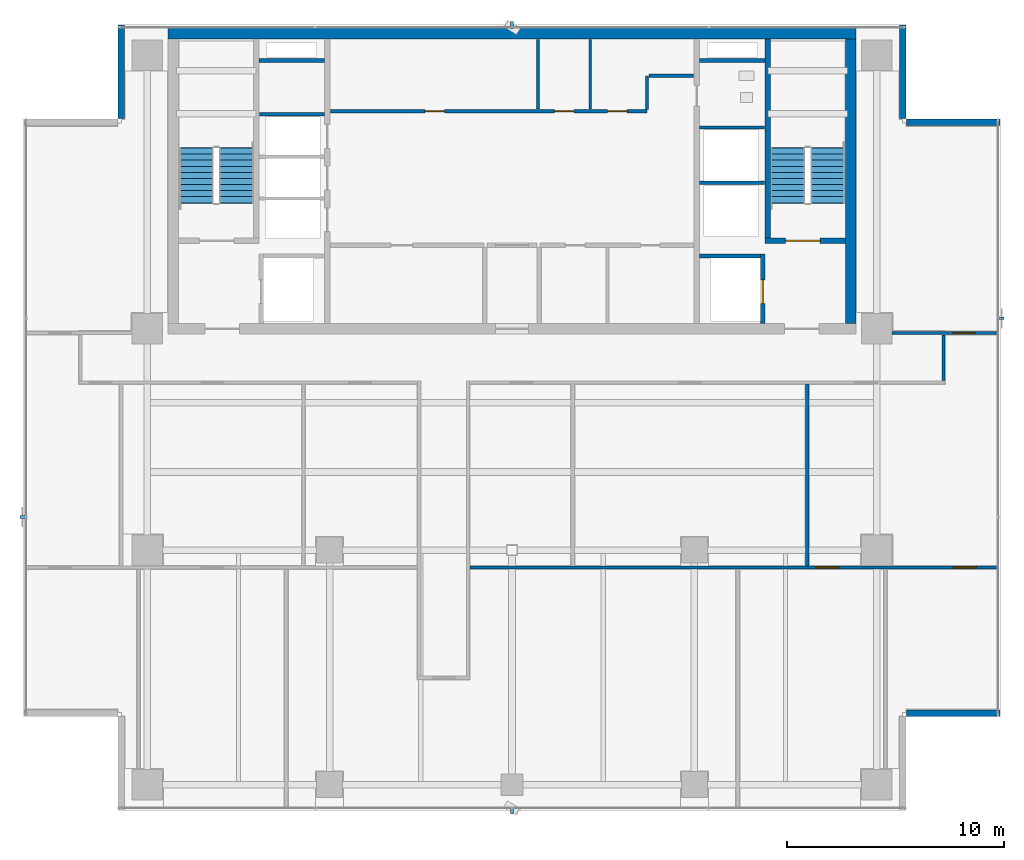
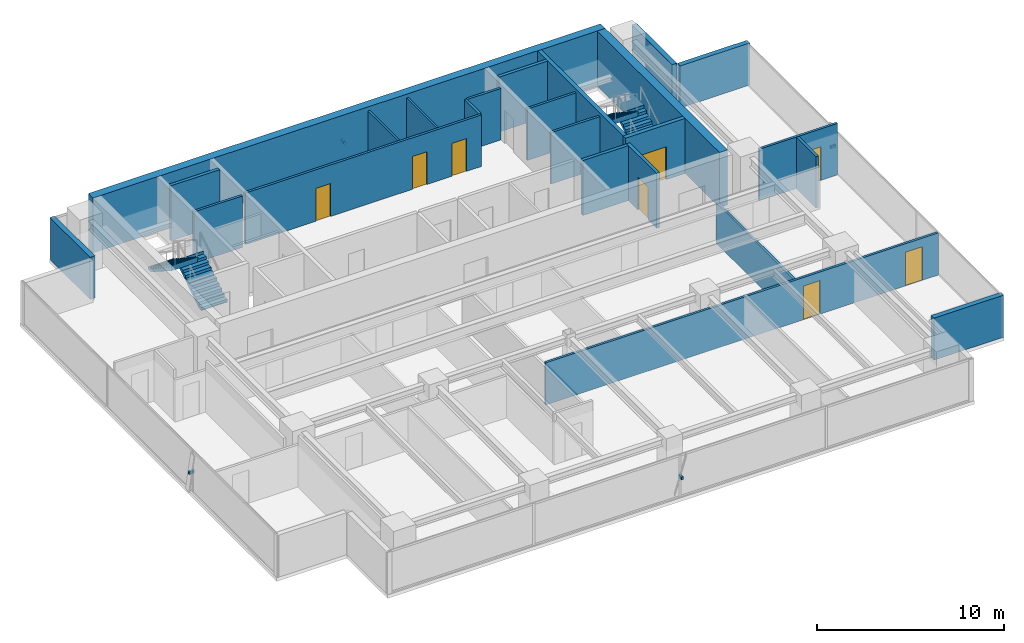
# One storey, part 21 of 25: 24 walls, 8 doors, 4 discrete accessories, 4 stair flights, 8 openings, 2 elements without a shape of their own.
"""IFC4 building model written with IfcOpenShell, lengths in metres."""

from ifc_helpers import new_model, si_unit, direction, frame, frame_2d, origin, origin_2d, place, context, subcontext, project, spatial, polyline, rectangle, outline, extrude, source, transform, mapped, material, layer, layer_set, material_profile, profile_set, type_object, element, fill, aggregate, save


model = new_model("IFC4")

# Units and contexts
model_context = context("Model", 3, precision=1e-05, world=origin(), true_north=direction((0.0, 1.0)))
body_context = subcontext(model_context, "Body", "Model", "MODEL_VIEW")
ifc_project = project(units=[si_unit("LENGTHUNIT", "METRE"), si_unit("AREAUNIT", "SQUARE_METRE"), si_unit("VOLUMEUNIT", "CUBIC_METRE"), si_unit("PLANEANGLEUNIT", "RADIAN"), si_unit("MASSUNIT", "GRAM", prefix="KILO")], contexts=[model_context])

# Site, building, storey
site_placement = place(None, origin())
site = spatial("IfcSite", under=ifc_project, at=site_placement, CompositionType="ELEMENT")
building_placement = place(site_placement, origin())
building = spatial("IfcBuilding", under=site, at=building_placement, Name="Sumidabori Civic Tower", CompositionType="ELEMENT")
storey_placement = place(building_placement, frame((0.0, 0.0, 246.800048828125)))
storey = spatial("IfcBuildingStorey", under=building, at=storey_placement, Name="L64", CompositionType="ELEMENT", Elevation=246.800048828125)

# Walls
ifc_material_1 = material(Name="Concrete C50/60", Category="concrete")
ifc_layer_1 = layer(ifc_material_1, 0.199951171875, Name="Concrete C50/60")
ifc_layer_set_1 = layer_set([ifc_layer_1], Name="Concrete C50/60")
wall_type_1 = type_object("IfcWallType", Name="WL-SHAFT-200", PredefinedType="SHEAR", material=ifc_layer_set_1)
shared_shape_1 = source(origin(), body_context, "Body", "SweptSolid", [
    extrude(rectangle(XDim=2.824951171875, YDim=0.199951171875, at=frame_2d((1.41259765625, 0.0))), origin(), (0.0, 0.0, 1.0), 3.599853515625),
])
wall_1_placement = place(storey_placement, frame((8.625, 13.550048828125, 0.0), z_axis=(0.0, 0.0, 1.0), x_axis=(1.0, 0.0, 0.0)))
element("IfcWall", 1, at=wall_1_placement, inside=storey, type_object=wall_type_1, Name="Core Shear Wall L64 EL2-N", PredefinedType="SHEAR", context=body_context, shape_type="MappedRepresentation", body=[
    mapped(shared_shape_1, transform((0.0, 0.0, 0.0), x_axis=(1.0, 0.0, 0.0), y_axis=(0.0, 1.0, 0.0), z_axis=(0.0, 0.0, 1.0), scale=1.0)),
])
shared_shape_2 = source(origin(), body_context, "Body", "SweptSolid", [
    extrude(rectangle(XDim=3.02001953125, YDim=0.199951171875, at=frame_2d((1.510009765625, 0.0))), origin(), (0.0, 0.0, 1.0), 3.599853515625),
])
for number, where, z_axis, x_axis, name in (
    (2, (-11.64501953125, 22.550048828125, 0.0), (0.0, 0.0, 1.0), (1.0, 0.0, 0.0), "Core Shear Wall L64 RIS1-S"),
    (3, (8.625, 22.550048828125, 0.0), (0.0, 0.0, 1.0), (1.0, 0.0, 0.0), "Core Shear Wall L64 RIS2-S"),
):
    element("IfcWall", number, at=place(storey_placement, frame(where, z_axis=z_axis, x_axis=x_axis)), inside=storey, type_object=wall_type_1, Name=name, PredefinedType="SHEAR", context=body_context, shape_type="MappedRepresentation", body=[
        mapped(shared_shape_2, transform((0.0, 0.0, 0.0), x_axis=(1.0, 0.0, 0.0), y_axis=(0.0, 1.0, 0.0), z_axis=(0.0, 0.0, 1.0), scale=1.0)),
    ])
ifc_layer_2 = layer(ifc_material_1, 0.5, Name="Concrete C50/60")
ifc_layer_set_2 = layer_set([ifc_layer_2], Name="Concrete C50/60")
wall_type_2 = type_object("IfcWallType", Name="WL-CORE-500", PredefinedType="SHEAR", material=ifc_layer_set_2)
shared_shape_3 = source(origin(), body_context, "Body", "SweptSolid", [
    extrude(rectangle(XDim=31.7001953125, YDim=0.5, at=frame_2d((15.85009765625, 0.0))), origin(), (0.0, 0.0, 1.0), 3.599853515625),
])
wall_2_placement = place(storey_placement, frame((-15.85009765625, 23.800048828125, 0.0), z_axis=(0.0, 0.0, 1.0), x_axis=(1.0, 0.0, 0.0)))
element("IfcWall", 4, at=wall_2_placement, inside=storey, type_object=wall_type_2, Name="Core Shear Wall L64 N", PredefinedType="SHEAR", context=body_context, shape_type="MappedRepresentation", body=[
    mapped(shared_shape_3, transform((0.0, 0.0, 0.0), x_axis=(1.0, 0.0, 0.0), y_axis=(0.0, 1.0, 0.0), z_axis=(0.0, 0.0, 1.0), scale=1.0)),
])
shared_shape_4 = source(origin(), body_context, "Body", "SweptSolid", [
    extrude(rectangle(XDim=13.10009765625, YDim=0.5, at=frame_2d((6.550048828125, 0.0))), origin(), (0.0, 0.0, 1.0), 3.599853515625),
])
wall_3_placement = place(storey_placement, frame((15.60009765625, 10.449951171875, 0.0), z_axis=(0.0, 0.0, 1.0), x_axis=(0.0, 1.0, 0.0)))
element("IfcWall", 5, at=wall_3_placement, inside=storey, type_object=wall_type_2, Name="Core Shear Wall L64 E", PredefinedType="SHEAR", context=body_context, shape_type="MappedRepresentation", body=[
    mapped(shared_shape_4, transform((0.0, 0.0, 0.0), x_axis=(1.0, 0.0, 0.0), y_axis=(0.0, 1.0, 0.0), z_axis=(0.0, 0.0, 1.0), scale=1.0)),
])

# Wall, opening, door
ifc_layer_3 = layer(ifc_material_1, 0.25, Name="Concrete C50/60")
ifc_layer_set_3 = layer_set([ifc_layer_3], Name="Concrete C50/60")
wall_type_3 = type_object("IfcWallType", Name="WL-SHAFT-250", PredefinedType="SHEAR", material=ifc_layer_set_3)
shared_shape_5 = source(origin(), body_context, "Body", "SweptSolid", [
    extrude(rectangle(XDim=3.705078125, YDim=0.25, at=frame_2d((1.8525390625, 0.0))), origin(), (0.0, 0.0, 1.0), 3.599853515625),
])
wall_4_placement = place(storey_placement, frame((11.64501953125, 14.25, 0.0), z_axis=(0.0, 0.0, 1.0), x_axis=(1.0, 0.0, 0.0)))
wall_4 = element("IfcWall", 6, at=wall_4_placement, inside=storey, type_object=wall_type_3, Name="Core Shear Wall L64 ST2-S", PredefinedType="SHEAR", context=body_context, shape_type="MappedRepresentation", body=[
    mapped(shared_shape_5, transform((0.0, 0.0, 0.0), x_axis=(1.0, 0.0, 0.0), y_axis=(0.0, 1.0, 0.0), z_axis=(0.0, 0.0, 1.0), scale=1.0)),
])
opening_1_placement = place(wall_4_placement, frame((0.949951171875, 0.0, 0.0)))
opening_1 = element("IfcOpeningElement", 7, at=opening_1_placement, cuts=wall_4, Name="Opening DR-FD4", PredefinedType="OPENING", context=body_context, shape_type="SweptSolid", body=[
    extrude(rectangle(XDim=1.60009765625, YDim=2.14990234375, at=frame_2d((0.800048828125, 1.074951171875))), frame((0.0, 0.136962890625, 0.0), z_axis=(0.0, -1.0, 0.0), x_axis=(1.0, 0.0, 0.0)), (0.0, 0.0, 1.0), 0.27392578125),
])
ifc_material_2 = material(Name="Steel SN490", Category="steel")
door_type_1 = type_object("IfcDoorType", Name="DR-FD4", OperationType="DOUBLE_DOOR_SINGLE_SWING", PredefinedType="DOOR", material=ifc_material_2)
shared_shape_6 = source(origin(), body_context, "Body", "SweptSolid", [
    extrude(rectangle(XDim=1.60009765625, YDim=2.14990234375, at=frame_2d((0.800048828125, 1.074951171875))), frame((0.0, 0.02490234375, 0.0), z_axis=(0.0, -1.0, 0.0), x_axis=(1.0, 0.0, 0.0)), (0.0, 0.0, 1.0), 0.050048828125),
])
door_1_placement = place(opening_1_placement, origin())
door_1 = element("IfcDoor", 8, at=door_1_placement, inside=storey, type_object=door_type_1, Name="Door DR:L64:ST2", OperationType="DOUBLE_DOOR_SINGLE_SWING", OverallHeight=2.14990234375, OverallWidth=1.60009765625, PredefinedType="DOOR", context=body_context, shape_type="MappedRepresentation", body=[
    mapped(shared_shape_6, transform((0.0, 0.0, 0.0), x_axis=(1.0, 0.0, 0.0), y_axis=(0.0, 1.0, 0.0), z_axis=(0.0, 0.0, 1.0), scale=1.0)),
])
fill(opening_1, door_1)

# Wall
shared_shape_7 = source(origin(), body_context, "Body", "SweptSolid", [
    extrude(rectangle(XDim=9.175048828125, YDim=0.25, at=frame_2d((4.58740234375, 0.0))), origin(), (0.0, 0.0, 1.0), 3.599853515625),
])
wall_5_placement = place(storey_placement, frame((11.77001953125, 14.375, 0.0), z_axis=(0.0, 0.0, 1.0), x_axis=(0.0, 1.0, 0.0)))
element("IfcWall", 9, at=wall_5_placement, inside=storey, type_object=wall_type_3, Name="Core Shear Wall L64 ST2-W", PredefinedType="SHEAR", context=body_context, shape_type="MappedRepresentation", body=[
    mapped(shared_shape_7, transform((0.0, 0.0, 0.0), x_axis=(1.0, 0.0, 0.0), y_axis=(0.0, 1.0, 0.0), z_axis=(0.0, 0.0, 1.0), scale=1.0)),
])

# Wall, opening, door
shared_shape_8 = source(origin(), body_context, "Body", "SweptSolid", [
    extrude(rectangle(XDim=3.199951171875, YDim=0.199951171875, at=frame_2d((1.60009765625, 0.0))), origin(), (0.0, 0.0, 1.0), 3.599853515625),
])
wall_6_placement = place(storey_placement, frame((11.550048828125, 10.449951171875, 0.0), z_axis=(0.0, 0.0, 1.0), x_axis=(0.0, 1.0, 0.0)))
wall_6 = element("IfcWall", 10, at=wall_6_placement, inside=storey, type_object=wall_type_1, Name="Core Shear Wall L64 EL2-E", PredefinedType="SHEAR", context=body_context, shape_type="MappedRepresentation", body=[
    mapped(shared_shape_8, transform((0.0, 0.0, 0.0), x_axis=(1.0, 0.0, 0.0), y_axis=(0.0, 1.0, 0.0), z_axis=(0.0, 0.0, 1.0), scale=1.0)),
])
opening_2_placement = place(wall_6_placement, frame((0.89990234375, 0.0, 0.0)))
opening_2 = element("IfcOpeningElement", 11, at=opening_2_placement, cuts=wall_6, Name="Opening LD-2", PredefinedType="OPENING", context=body_context, shape_type="SweptSolid", body=[
    extrude(rectangle(XDim=1.10009765625, YDim=2.14990234375, at=frame_2d((0.550048828125, 1.074951171875))), frame((0.0, 0.11181640625, 0.0), z_axis=(0.0, -1.0, 0.0), x_axis=(1.0, 0.0, 0.0)), (0.0, 0.0, 1.0), 0.223876953125),
])
ifc_material_3 = material(Name="Stainless Steel Hairline Finish", Category="steel")
door_type_2 = type_object("IfcDoorType", Name="DR-LD2", OperationType="DOUBLE_DOOR_SLIDING", PredefinedType="DOOR", material=ifc_material_3)
shared_shape_9 = source(origin(), body_context, "Body", "SweptSolid", [
    extrude(rectangle(XDim=1.10009765625, YDim=2.14990234375, at=frame_2d((0.550048828125, 1.074951171875))), frame((0.0, 0.02490234375, 0.0), z_axis=(0.0, -1.0, 0.0), x_axis=(1.0, 0.0, 0.0)), (0.0, 0.0, 1.0), 0.050048828125),
])
door_2_placement = place(opening_2_placement, origin())
door_2 = element("IfcDoor", 12, at=door_2_placement, inside=storey, type_object=door_type_2, Name="Door DR:L64:LD-EL2", OperationType="DOUBLE_DOOR_SLIDING", OverallHeight=2.14990234375, OverallWidth=1.10009765625, PredefinedType="DOOR", context=body_context, shape_type="MappedRepresentation", body=[
    mapped(shared_shape_9, transform((0.0, 0.0, 0.0), x_axis=(1.0, 0.0, 0.0), y_axis=(0.0, 1.0, 0.0), z_axis=(0.0, 0.0, 1.0), scale=1.0)),
])
fill(opening_2, door_2)

# Walls
ifc_material_4 = material(Name="Precast concrete C40/50", Category="concrete")
ifc_layer_4 = layer(ifc_material_4, 0.300048828125, Name="Precast concrete C40/50")
ifc_layer_set_4 = layer_set([ifc_layer_4], Name="Precast concrete C40/50")
wall_type_4 = type_object("IfcWallType", Name="WL-EXT-POD300", PredefinedType="STANDARD", material=ifc_layer_set_4)
shared_shape_10 = source(origin(), body_context, "Body", "SweptSolid", [
    extrude(rectangle(XDim=4.31005859375, YDim=0.300048828125, at=frame_2d((2.155029296875, 0.0))), origin(), (0.0, 0.0, 1.0), 2.75),
])
for number, where, z_axis, x_axis, name in (
    (13, (18.169921875, -7.5, 0.0), (0.0, 0.0, 1.0), (1.0, 0.0, 0.0), "Notched Corner Spandrel Band L64-03"),
    (14, (22.47998046875, 19.699951171875, 0.0), (0.0, 0.0, 1.0), (-1.0, 0.0, 0.0), "Notched Corner Spandrel Band L64-05"),
):
    element("IfcWall", number, at=place(storey_placement, frame(where, z_axis=z_axis, x_axis=x_axis)), inside=storey, type_object=wall_type_4, Name=name, PredefinedType="STANDARD", context=body_context, shape_type="MappedRepresentation", body=[
        mapped(shared_shape_10, transform((0.0, 0.0, 0.0), x_axis=(1.0, 0.0, 0.0), y_axis=(0.0, 1.0, 0.0), z_axis=(0.0, 0.0, 1.0), scale=1.0)),
    ])
shared_shape_11 = source(origin(), body_context, "Body", "SweptSolid", [
    extrude(rectangle(XDim=4.309814453125, YDim=0.300048828125, at=frame_2d((2.15478515625, 0.0))), origin(), (0.0, 0.0, 1.0), 2.75),
])
for number, where, z_axis, x_axis, name in (
    (15, (18.0, 19.8701171875, 0.0), (0.0, 0.0, 1.0), (0.0, 1.0, 0.0), "Notched Corner Spandrel Band L64-06"),
    (16, (-18.0, 24.179931640625, 0.0), (0.0, 0.0, 1.0), (0.0, -1.0, 0.0), "Notched Corner Spandrel Band L64-08"),
):
    element("IfcWall", number, at=place(storey_placement, frame(where, z_axis=z_axis, x_axis=x_axis)), inside=storey, type_object=wall_type_4, Name=name, PredefinedType="STANDARD", context=body_context, shape_type="MappedRepresentation", body=[
        mapped(shared_shape_11, transform((0.0, 0.0, 0.0), x_axis=(1.0, 0.0, 0.0), y_axis=(0.0, 1.0, 0.0), z_axis=(0.0, 0.0, 1.0), scale=1.0)),
    ])
ifc_material_5 = material(Name="Gypsum Plasterboard Acoustic Partition")
ifc_layer_5 = layer(ifc_material_5, 0.14990234375, Name="Gypsum Plasterboard Acoustic Partition")
ifc_layer_set_5 = layer_set([ifc_layer_5], Name="Gypsum Plasterboard Acoustic Partition")
wall_type_5 = type_object("IfcWallType", Name="WL-PART-150", PredefinedType="PARTITIONING", material=ifc_layer_set_5)
shared_shape_12 = source(origin(), body_context, "Body", "SweptSolid", [
    extrude(rectangle(XDim=3.010009765625, YDim=0.14990234375, at=frame_2d((1.5048828125, 0.0))), origin(), (0.0, 0.0, 1.0), 3.369873046875),
])
for number, where, z_axis, x_axis, name in (
    (17, (-11.639892578125, 20.080078125, 0.0), (0.0, 0.0, 1.0), (1.0, 0.0, 0.0), "Interior Partition WL:L64:DIV-PLH3"),
    (18, (8.6298828125, 16.919921875, 0.0), (0.0, 0.0, 1.0), (1.0, 0.0, 0.0), "Interior Partition WL:L64:DIV-OBS1"),
    (19, (8.6298828125, 19.469970703125, 0.0), (0.0, 0.0, 1.0), (1.0, 0.0, 0.0), "Interior Partition WL:L64:DIV-OBS2"),
):
    element("IfcWall", number, at=place(storey_placement, frame(where, z_axis=z_axis, x_axis=x_axis)), inside=storey, type_object=wall_type_5, Name=name, PredefinedType="PARTITIONING", context=body_context, shape_type="MappedRepresentation", body=[
        mapped(shared_shape_12, transform((0.0, 0.0, 0.0), x_axis=(1.0, 0.0, 0.0), y_axis=(0.0, 1.0, 0.0), z_axis=(0.0, 0.0, 1.0), scale=1.0)),
    ])

# Wall, openings, doors
shared_shape_13 = source(origin(), body_context, "Body", "SweptSolid", [
    extrude(rectangle(XDim=14.590087890625, YDim=0.14990234375, at=frame_2d((7.294921875, 0.0))), origin(), (0.0, 0.0, 1.0), 3.369873046875),
])
wall_7_placement = place(storey_placement, frame((-8.3701171875, 20.219970703125, 0.0), z_axis=(0.0, 0.0, 1.0), x_axis=(1.0, 0.0, 0.0)))
wall_7 = element("IfcWall", 20, at=wall_7_placement, inside=storey, type_object=wall_type_5, Name="Interior Partition WL:L64:CBAND-M", PredefinedType="PARTITIONING", context=body_context, shape_type="MappedRepresentation", body=[
    mapped(shared_shape_13, transform((0.0, 0.0, 0.0), x_axis=(1.0, 0.0, 0.0), y_axis=(0.0, 1.0, 0.0), z_axis=(0.0, 0.0, 1.0), scale=1.0)),
])
opening_3_placement = place(wall_7_placement, frame((4.360107421875, 0.0, 0.0)))
opening_3 = element("IfcOpeningElement", 21, at=opening_3_placement, cuts=wall_7, Name="Opening DR-1", PredefinedType="OPENING", context=body_context, shape_type="SweptSolid", body=[
    extrude(rectangle(XDim=0.89990234375, YDim=2.14990234375, at=frame_2d((0.449951171875, 1.074951171875))), frame((0.0, 0.0869140625, 0.0), z_axis=(0.0, -1.0, 0.0), x_axis=(1.0, 0.0, 0.0)), (0.0, 0.0, 1.0), 0.173828125),
])
opening_4_placement = place(wall_7_placement, frame((10.320068359375, 0.0, 0.0)))
opening_4 = element("IfcOpeningElement", 22, at=opening_4_placement, cuts=wall_7, Name="Opening DR-1", PredefinedType="OPENING", context=body_context, shape_type="SweptSolid", body=[
    extrude(rectangle(XDim=0.89990234375, YDim=2.14990234375, at=frame_2d((0.449951171875, 1.074951171875))), frame((0.0, 0.0869140625, 0.0), z_axis=(0.0, -1.0, 0.0), x_axis=(1.0, 0.0, 0.0)), (0.0, 0.0, 1.0), 0.173828125),
])
opening_5_placement = place(wall_7_placement, frame((12.77001953125, 0.0, 0.0)))
opening_5 = element("IfcOpeningElement", 23, at=opening_5_placement, cuts=wall_7, Name="Opening DR-1", PredefinedType="OPENING", context=body_context, shape_type="SweptSolid", body=[
    extrude(rectangle(XDim=0.89990234375, YDim=2.14990234375, at=frame_2d((0.449951171875, 1.074951171875))), frame((0.0, 0.0869140625, 0.0), z_axis=(0.0, -1.0, 0.0), x_axis=(1.0, 0.0, 0.0)), (0.0, 0.0, 1.0), 0.173828125),
])
ifc_material_6 = material(Name="Japanese Hinoki Timber", Category="wood")
door_type_3 = type_object("IfcDoorType", Name="DR-INT-900", OperationType="NOTDEFINED", PredefinedType="DOOR", material=ifc_material_6)
shared_shape_14 = source(origin(), body_context, "Body", "SweptSolid", [
    extrude(rectangle(XDim=0.89990234375, YDim=2.14990234375, at=frame_2d((0.449951171875, 1.074951171875))), frame((0.0, 0.02490234375, 0.0), z_axis=(0.0, -1.0, 0.0), x_axis=(1.0, 0.0, 0.0)), (0.0, 0.0, 1.0), 0.050048828125),
])
door_3_placement = place(opening_3_placement, origin())
door_3 = element("IfcDoor", 24, at=door_3_placement, inside=storey, type_object=door_type_3, Name="Door DR:L64:CB-1", OperationType="SINGLE_SWING_LEFT", OverallHeight=2.14990234375, OverallWidth=0.89990234375, PredefinedType="DOOR", context=body_context, shape_type="MappedRepresentation", body=[
    mapped(shared_shape_14, transform((0.0, 0.0, 0.0), x_axis=(1.0, 0.0, 0.0), y_axis=(0.0, 1.0, 0.0), z_axis=(0.0, 0.0, 1.0), scale=1.0)),
])
fill(opening_3, door_3)
door_4_placement = place(opening_4_placement, origin())
door_4 = element("IfcDoor", 25, at=door_4_placement, inside=storey, type_object=door_type_3, Name="Door DR:L64:CB-2", OperationType="SINGLE_SWING_RIGHT", OverallHeight=2.14990234375, OverallWidth=0.89990234375, PredefinedType="DOOR", context=body_context, shape_type="MappedRepresentation", body=[
    mapped(shared_shape_14, transform((0.0, 0.0, 0.0), x_axis=(1.0, 0.0, 0.0), y_axis=(0.0, 1.0, 0.0), z_axis=(0.0, 0.0, 1.0), scale=1.0)),
])
fill(opening_4, door_4)
door_5_placement = place(opening_5_placement, origin())
door_5 = element("IfcDoor", 26, at=door_5_placement, inside=storey, type_object=door_type_3, Name="Door DR:L64:CB-3", OperationType="SINGLE_SWING_LEFT", OverallHeight=2.14990234375, OverallWidth=0.89990234375, PredefinedType="DOOR", context=body_context, shape_type="MappedRepresentation", body=[
    mapped(shared_shape_14, transform((0.0, 0.0, 0.0), x_axis=(1.0, 0.0, 0.0), y_axis=(0.0, 1.0, 0.0), z_axis=(0.0, 0.0, 1.0), scale=1.0)),
])
fill(opening_5, door_5)

# Walls
shared_shape_15 = source(origin(), body_context, "Body", "SweptSolid", [
    extrude(rectangle(XDim=1.550048828125, YDim=0.14990234375, at=frame_2d((0.77490234375, 0.0))), origin(), (0.0, 0.0, 1.0), 3.369873046875),
])
wall_8_placement = place(storey_placement, frame((6.219970703125, 20.300048828125, 0.0), z_axis=(0.0, 0.0, 1.0), x_axis=(0.0, 1.0, 0.0)))
element("IfcWall", 27, at=wall_8_placement, inside=storey, type_object=wall_type_5, Name="Interior Partition WL:L64:CBAND-ME1", PredefinedType="PARTITIONING", context=body_context, shape_type="MappedRepresentation", body=[
    mapped(shared_shape_15, transform((0.0, 0.0, 0.0), x_axis=(1.0, 0.0, 0.0), y_axis=(0.0, 1.0, 0.0), z_axis=(0.0, 0.0, 1.0), scale=1.0)),
])
shared_shape_16 = source(origin(), body_context, "Body", "SweptSolid", [
    extrude(rectangle(XDim=2.070068359375, YDim=0.14990234375, at=frame_2d((1.03515625, 0.0))), origin(), (0.0, 0.0, 1.0), 3.369873046875),
])
wall_9_placement = place(storey_placement, frame((6.300048828125, 21.85009765625, 0.0), z_axis=(0.0, 0.0, 1.0), x_axis=(1.0, 0.0, 0.0)))
element("IfcWall", 28, at=wall_9_placement, inside=storey, type_object=wall_type_5, Name="Interior Partition WL:L64:CBAND-ME2", PredefinedType="PARTITIONING", context=body_context, shape_type="MappedRepresentation", body=[
    mapped(shared_shape_16, transform((0.0, 0.0, 0.0), x_axis=(1.0, 0.0, 0.0), y_axis=(0.0, 1.0, 0.0), z_axis=(0.0, 0.0, 1.0), scale=1.0)),
])
ifc_layer_6 = layer(ifc_material_5, 0.1201171875, Name="Gypsum Plasterboard Acoustic Partition")
ifc_layer_set_6 = layer_set([ifc_layer_6], Name="Gypsum Plasterboard Acoustic Partition")
wall_type_6 = type_object("IfcWallType", Name="WL-PART-120", PredefinedType="PARTITIONING", material=ifc_layer_set_6)
shared_shape_17 = source(origin(), body_context, "Body", "SweptSolid", [
    extrude(rectangle(XDim=3.18994140625, YDim=0.1201171875, at=frame_2d((1.594970703125, 0.0))), origin(), (0.0, 0.0, 1.0), 3.369873046875),
])
for number, where, z_axis, x_axis, name in (
    (29, (1.199951171875, 20.320068359375, 0.0), (0.0, 0.0, 1.0), (0.0, 1.0, 0.0), "Interior Partition WL:L64:LV8-S1"),
    (30, (3.60009765625, 20.320068359375, 0.0), (0.0, 0.0, 1.0), (0.0, 1.0, 0.0), "Interior Partition WL:L64:LV8-S2"),
):
    element("IfcWall", number, at=place(storey_placement, frame(where, z_axis=z_axis, x_axis=x_axis)), inside=storey, type_object=wall_type_6, Name=name, PredefinedType="PARTITIONING", context=body_context, shape_type="MappedRepresentation", body=[
        mapped(shared_shape_17, transform((0.0, 0.0, 0.0), x_axis=(1.0, 0.0, 0.0), y_axis=(0.0, 1.0, 0.0), z_axis=(0.0, 0.0, 1.0), scale=1.0)),
    ])
shared_shape_18 = source(origin(), body_context, "Body", "SweptSolid", [
    extrude(rectangle(XDim=8.364990234375, YDim=0.14990234375, at=frame_2d((4.1826171875, 0.0))), origin(), (0.0, 0.0, 1.0), 2.655029296875),
])
wall_10_placement = place(storey_placement, frame((13.60009765625, -0.719970703125, 0.0), z_axis=(0.0, 0.0, 1.0), x_axis=(0.0, 1.0, 0.0)))
element("IfcWall", 31, at=wall_10_placement, inside=storey, type_object=wall_type_5, Name="Interior Partition WL:L64:VX-N4", PredefinedType="PARTITIONING", context=body_context, shape_type="MappedRepresentation", body=[
    mapped(shared_shape_18, transform((0.0, 0.0, 0.0), x_axis=(1.0, 0.0, 0.0), y_axis=(0.0, 1.0, 0.0), z_axis=(0.0, 0.0, 1.0), scale=1.0)),
])

# Wall, opening, door
shared_shape_19 = source(origin(), body_context, "Body", "SweptSolid", [
    extrude(rectangle(XDim=4.840087890625, YDim=0.14990234375, at=frame_2d((2.419921875, 0.0))), origin(), (0.0, 0.0, 1.0), 3.369873046875),
])
wall_11_placement = place(storey_placement, frame((17.510009765625, 10.0, 0.0), z_axis=(0.0, 0.0, 1.0), x_axis=(1.0, 0.0, 0.0)))
wall_11 = element("IfcWall", 32, at=wall_11_placement, inside=storey, type_object=wall_type_5, Name="Interior Partition WL:L64:FLK-NE", PredefinedType="PARTITIONING", context=body_context, shape_type="MappedRepresentation", body=[
    mapped(shared_shape_19, transform((0.0, 0.0, 0.0), x_axis=(1.0, 0.0, 0.0), y_axis=(0.0, 1.0, 0.0), z_axis=(0.0, 0.0, 1.0), scale=1.0)),
])
opening_6_placement = place(wall_11_placement, frame((2.780029296875, 0.0, 0.0)))
opening_6 = element("IfcOpeningElement", 33, at=opening_6_placement, cuts=wall_11, Name="Opening DR-4", PredefinedType="OPENING", context=body_context, shape_type="SweptSolid", body=[
    extrude(rectangle(XDim=1.0400390625, YDim=2.199951171875, at=frame_2d((0.52001953125, 1.10009765625))), frame((0.0, 0.0869140625, 0.0), z_axis=(0.0, -1.0, 0.0), x_axis=(1.0, 0.0, 0.0)), (0.0, 0.0, 1.0), 0.173828125),
])
door_type_4 = type_object("IfcDoorType", Name="DR-INT-1040", OperationType="NOTDEFINED", PredefinedType="DOOR", material=ifc_material_6)
shared_shape_20 = source(origin(), body_context, "Body", "SweptSolid", [
    extrude(rectangle(XDim=1.0400390625, YDim=2.199951171875, at=frame_2d((0.52001953125, 1.10009765625))), frame((0.0, 0.02490234375, 0.0), z_axis=(0.0, -1.0, 0.0), x_axis=(1.0, 0.0, 0.0)), (0.0, 0.0, 1.0), 0.050048828125),
])
door_6_placement = place(opening_6_placement, origin())
door_6 = element("IfcDoor", 34, at=door_6_placement, inside=storey, type_object=door_type_4, Name="Door DR:L64:D09", OperationType="SINGLE_SWING_LEFT", OverallHeight=2.199951171875, OverallWidth=1.0400390625, PredefinedType="DOOR", context=body_context, shape_type="MappedRepresentation", body=[
    mapped(shared_shape_20, transform((0.0, 0.0, 0.0), x_axis=(1.0, 0.0, 0.0), y_axis=(0.0, 1.0, 0.0), z_axis=(0.0, 0.0, 1.0), scale=1.0)),
])
fill(opening_6, door_6)

# Wall
shared_shape_21 = source(origin(), body_context, "Body", "SweptSolid", [
    extrude(rectangle(XDim=2.114990234375, YDim=0.14990234375, at=frame_2d((1.0576171875, 0.0))), origin(), (0.0, 0.0, 1.0), 3.369873046875),
])
wall_12_placement = place(storey_placement, frame((19.875, 7.804931640625, 0.0), z_axis=(0.0, 0.0, 1.0), x_axis=(0.0, 1.0, 0.0)))
element("IfcWall", 35, at=wall_12_placement, inside=storey, type_object=wall_type_5, Name="Interior Partition WL:L64:CORR-VNE", PredefinedType="PARTITIONING", context=body_context, shape_type="MappedRepresentation", body=[
    mapped(shared_shape_21, transform((0.0, 0.0, 0.0), x_axis=(1.0, 0.0, 0.0), y_axis=(0.0, 1.0, 0.0), z_axis=(0.0, 0.0, 1.0), scale=1.0)),
])

# Wall, openings, doors
shared_shape_22 = source(origin(), body_context, "Body", "SweptSolid", [
    extrude(rectangle(XDim=24.295166015625, YDim=0.14990234375, at=frame_2d((12.1474609375, 0.0))), origin(), (0.0, 0.0, 1.0), 2.7548828125),
])
wall_13_placement = place(storey_placement, frame((-1.945068359375, -0.800048828125, 0.0), z_axis=(0.0, 0.0, 1.0), x_axis=(1.0, 0.0, 0.0)))
wall_13 = element("IfcWall", 36, at=wall_13_placement, inside=storey, type_object=wall_type_5, Name="Interior Partition WL:L64:BAND-Y-2", PredefinedType="PARTITIONING", context=body_context, shape_type="MappedRepresentation", body=[
    mapped(shared_shape_22, transform((0.0, 0.0, 0.0), x_axis=(1.0, 0.0, 0.0), y_axis=(0.0, 1.0, 0.0), z_axis=(0.0, 0.0, 1.0), scale=1.0)),
])
opening_7_placement = place(wall_13_placement, frame((22.277587890625, 0.0, 0.0)))
opening_7 = element("IfcOpeningElement", 37, at=opening_7_placement, cuts=wall_13, Name="Opening DR-4", PredefinedType="OPENING", context=body_context, shape_type="SweptSolid", body=[
    extrude(rectangle(XDim=1.0400390625, YDim=2.199951171875, at=frame_2d((0.52001953125, 1.10009765625))), frame((0.0, 0.0869140625, 0.0), z_axis=(0.0, -1.0, 0.0), x_axis=(1.0, 0.0, 0.0)), (0.0, 0.0, 1.0), 0.173828125),
])
opening_8_placement = place(wall_13_placement, frame((15.945068359375, 0.0, 0.0)))
opening_8 = element("IfcOpeningElement", 38, at=opening_8_placement, cuts=wall_13, Name="Opening DR-4", PredefinedType="OPENING", context=body_context, shape_type="SweptSolid", body=[
    extrude(rectangle(XDim=1.0400390625, YDim=2.199951171875, at=frame_2d((0.52001953125, 1.10009765625))), frame((0.0, 0.0869140625, 0.0), z_axis=(0.0, -1.0, 0.0), x_axis=(1.0, 0.0, 0.0)), (0.0, 0.0, 1.0), 0.173828125),
])
door_7_placement = place(opening_7_placement, origin())
door_7 = element("IfcDoor", 39, at=door_7_placement, inside=storey, type_object=door_type_4, Name="Door DR:L64:D11", OperationType="SINGLE_SWING_LEFT", OverallHeight=2.199951171875, OverallWidth=1.0400390625, PredefinedType="DOOR", context=body_context, shape_type="MappedRepresentation", body=[
    mapped(shared_shape_20, transform((0.0, 0.0, 0.0), x_axis=(1.0, 0.0, 0.0), y_axis=(0.0, 1.0, 0.0), z_axis=(0.0, 0.0, 1.0), scale=1.0)),
])
fill(opening_7, door_7)
door_8_placement = place(opening_8_placement, origin())
door_8 = element("IfcDoor", 40, at=door_8_placement, inside=storey, type_object=door_type_4, Name="Door DR:L64:D13", OperationType="SINGLE_SWING_LEFT", OverallHeight=2.199951171875, OverallWidth=1.0400390625, PredefinedType="DOOR", context=body_context, shape_type="MappedRepresentation", body=[
    mapped(shared_shape_20, transform((0.0, 0.0, 0.0), x_axis=(1.0, 0.0, 0.0), y_axis=(0.0, 1.0, 0.0), z_axis=(0.0, 0.0, 1.0), scale=1.0)),
])
fill(opening_8, door_8)

# Stair, stair flights
ifc_material_7 = material(Name="Concrete C40/50", Category="concrete")
stair_type = type_object("IfcStairType", Name="ST-CORE-1600", PredefinedType="HALF_TURN_STAIR", material=ifc_material_7)
stair_1_placement = place(storey_placement, origin())
stair_1 = element("IfcStair", 41, at=stair_1_placement, inside=storey, type_object=stair_type, Name="L64 ST-1", PredefinedType="HALF_TURN_STAIR")
stair_flight_type = type_object("IfcStairFlightType", Name="SF-CORE-1600", PredefinedType="STRAIGHT", material=ifc_material_7)
shared_shape_23 = source(origin(), body_context, "Body", "SweptSolid", [
    extrude(outline(polyline([(-0.02490234375, 0.0), (-0.02490234375, 0.0400390625), (0.0, 0.0400390625), (0.0, 0.179931640625), (0.280029296875, 0.179931640625), (0.280029296875, 0.360107421875), (0.56005859375, 0.360107421875), (0.56005859375, 0.5400390625), (0.840087890625, 0.5400390625), (0.840087890625, 0.719970703125), (1.1201171875, 0.719970703125), (1.1201171875, 0.89990234375), (1.39990234375, 0.89990234375), (1.39990234375, 1.080078125), (1.679931640625, 1.080078125), (1.679931640625, 1.260009765625), (1.9599609375, 1.260009765625), (1.9599609375, 1.43994140625), (2.239990234375, 1.43994140625), (2.239990234375, 1.6201171875), (2.52001953125, 1.6201171875), (2.52001953125, 1.800048828125), (2.544921875, 1.800048828125), (2.544921875, 1.650146484375), (2.52001953125, 1.44189453125), (0.277099609375, 0.0), (-0.02490234375, 0.0)])), frame((0.0, 0.800048828125, 0.0), z_axis=(0.0, -1.0, 0.0), x_axis=(1.0, 0.0, 0.0)), (0.0, 0.0, 1.0), 1.60009765625),
])
stair_flight_1_placement = place(storey_placement, frame((-12.699951171875, 16.0, 0.0), z_axis=(0.0, 0.0, 1.0), x_axis=(0.0, 1.0, 0.0)))
stair_flight_1 = element("IfcStairFlight", 42, at=stair_flight_1_placement, type_object=stair_flight_type, Name="ST-1 flight 1", NumberOfRisers=10, NumberOfTreads=9, PredefinedType="STRAIGHT", RiserHeight=0.18, TreadLength=0.28, context=body_context, shape_type="MappedRepresentation", body=[
    mapped(shared_shape_23, transform((0.0, 0.0, 0.0), x_axis=(1.0, 0.0, 0.0), y_axis=(0.0, 1.0, 0.0), z_axis=(0.0, 0.0, 1.0), scale=1.0)),
])
stair_flight_2_placement = place(storey_placement, frame((-14.5400390625, 18.52001953125, 1.800048828125), z_axis=(0.0, 0.0, 1.0), x_axis=(0.0, -1.0, 0.0)))
stair_flight_2 = element("IfcStairFlight", 43, at=stair_flight_2_placement, type_object=stair_flight_type, Name="ST-1 flight 2", NumberOfRisers=10, NumberOfTreads=9, PredefinedType="STRAIGHT", RiserHeight=0.18, TreadLength=0.28, context=body_context, shape_type="MappedRepresentation", body=[
    mapped(shared_shape_23, transform((0.0, 0.0, 0.0), x_axis=(1.0, 0.0, 0.0), y_axis=(0.0, 1.0, 0.0), z_axis=(0.0, 0.0, 1.0), scale=1.0)),
])
aggregate(stair_1, [stair_flight_1, stair_flight_2])

stair_2_placement = place(storey_placement, origin())
stair_2 = element("IfcStair", 44, at=stair_2_placement, inside=storey, type_object=stair_type, Name="L64 ST-2", PredefinedType="HALF_TURN_STAIR")
stair_flight_3_placement = place(storey_placement, frame((14.5400390625, 16.0, 0.0), z_axis=(0.0, 0.0, 1.0), x_axis=(0.0, 1.0, 0.0)))
stair_flight_3 = element("IfcStairFlight", 45, at=stair_flight_3_placement, type_object=stair_flight_type, Name="ST-2 flight 1", NumberOfRisers=10, NumberOfTreads=9, PredefinedType="STRAIGHT", RiserHeight=0.18, TreadLength=0.28, context=body_context, shape_type="MappedRepresentation", body=[
    mapped(shared_shape_23, transform((0.0, 0.0, 0.0), x_axis=(1.0, 0.0, 0.0), y_axis=(0.0, 1.0, 0.0), z_axis=(0.0, 0.0, 1.0), scale=1.0)),
])
stair_flight_4_placement = place(storey_placement, frame((12.699951171875, 18.52001953125, 1.800048828125), z_axis=(0.0, 0.0, 1.0), x_axis=(0.0, -1.0, 0.0)))
stair_flight_4 = element("IfcStairFlight", 46, at=stair_flight_4_placement, type_object=stair_flight_type, Name="ST-2 flight 2", NumberOfRisers=10, NumberOfTreads=9, PredefinedType="STRAIGHT", RiserHeight=0.18, TreadLength=0.28, context=body_context, shape_type="MappedRepresentation", body=[
    mapped(shared_shape_23, transform((0.0, 0.0, 0.0), x_axis=(1.0, 0.0, 0.0), y_axis=(0.0, 1.0, 0.0), z_axis=(0.0, 0.0, 1.0), scale=1.0)),
])
aggregate(stair_2, [stair_flight_3, stair_flight_4])

# Discrete accessories
ifc_material_profile = material_profile(ifc_material_3, rectangle(XDim=0.1201171875, YDim=0.179931640625, at=origin_2d()), Name="STEEL BRACKET 180x120")
ifc_profile_set = profile_set([ifc_material_profile], Name="Stainless Steel Hairline Finish")
discrete_accessory_type = type_object("IfcDiscreteAccessoryType", Name="AC-BRK-180", PredefinedType="BRACKET", material=ifc_profile_set)
shared_shape_24 = source(origin(), body_context, "Body", "SweptSolid", [
    extrude(rectangle(XDim=0.1201171875, YDim=0.179931640625, at=origin_2d()), origin(), (0.0, 0.0, 1.0), 0.329833984375),
])
for number, where, z_axis, x_axis, name in (
    (47, (0.0, -11.830078125, 1.364990234375), (0.0, -1.0, 0.0), (1.0, 0.0, 0.0), "Bronze Fin Fixing Bracket L64-02"),
    (48, (22.330078125, 10.67333984375, 1.364990234375), (1.0, 0.0, 0.0), (0.0, 1.0, 0.0), "Bronze Fin Fixing Bracket L64-02"),
    (49, (-22.330078125, 1.526611328125, 1.364990234375), (-1.0, 0.0, 0.0), (0.0, -1.0, 0.0), "Bronze Fin Fixing Bracket L64-02"),
):
    element("IfcDiscreteAccessory", number, at=place(storey_placement, frame(where, z_axis=z_axis, x_axis=x_axis)), inside=storey, type_object=discrete_accessory_type, Name=name, PredefinedType="BRACKET", context=body_context, shape_type="MappedRepresentation", body=[
        mapped(shared_shape_24, transform((0.0, 0.0, 0.0), x_axis=(1.0, 0.0, 0.0), y_axis=(0.0, 1.0, 0.0), z_axis=(0.0, 0.0, 1.0), scale=1.0)),
    ])
shared_shape_25 = source(origin(), body_context, "Body", "SweptSolid", [
    extrude(rectangle(XDim=0.1201171875, YDim=0.179931640625, at=origin_2d()), origin(), (0.0, 0.0, 1.0), 0.330078125),
])
discrete_accessory_placement = place(storey_placement, frame((0.0, 24.030029296875, 1.364990234375), z_axis=(0.0, 1.0, 0.0), x_axis=(-1.0, 0.0, 0.0)))
element("IfcDiscreteAccessory", 50, at=discrete_accessory_placement, inside=storey, type_object=discrete_accessory_type, Name="Bronze Fin Fixing Bracket L64-02", PredefinedType="BRACKET", context=body_context, shape_type="MappedRepresentation", body=[
    mapped(shared_shape_25, transform((0.0, 0.0, 0.0), x_axis=(1.0, 0.0, 0.0), y_axis=(0.0, 1.0, 0.0), z_axis=(0.0, 0.0, 1.0), scale=1.0)),
])

save(model, "model.ifc")
